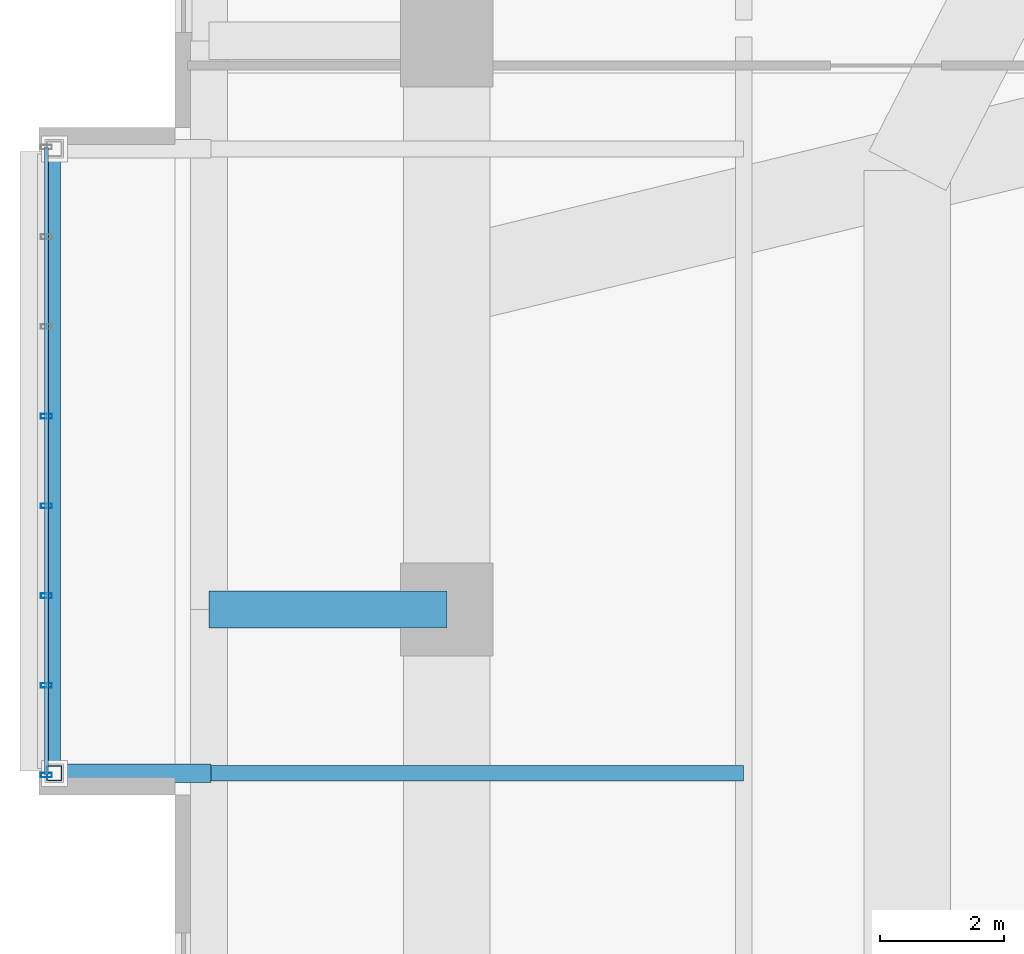
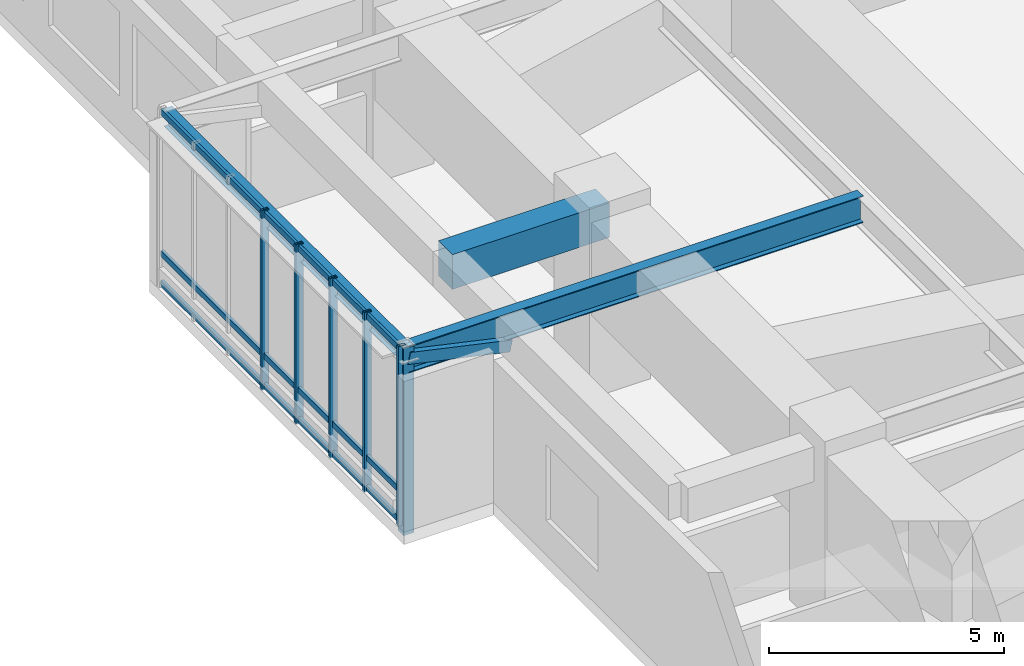
# One storey, part 3 of 26: 10 members, 3 beams, 1 element without a shape of its own.
"""IFC4 building model written with IfcOpenShell, lengths in metres."""

from ifc_helpers import new_model, si_unit, direction, frame, origin, origin_2d, place, context, subcontext, project, spatial, rectangle, hollow_rectangle, i_section, extrude, material, material_profile, profile_set, type_object, element, aggregate, save


model = new_model("IFC4")

# Units and contexts
model_context = context("Model", 3, precision=1e-05, world=origin(), true_north=direction((0.0, 1.0)))
body_context = subcontext(model_context, "Body", "Model", "MODEL_VIEW")
ifc_project = project(units=[si_unit("LENGTHUNIT", "METRE"), si_unit("AREAUNIT", "SQUARE_METRE"), si_unit("VOLUMEUNIT", "CUBIC_METRE"), si_unit("PLANEANGLEUNIT", "RADIAN"), si_unit("MASSUNIT", "GRAM", prefix="KILO")], contexts=[model_context])

# Site, building, storey
site_placement = place(None, origin())
site = spatial("IfcSite", under=ifc_project, at=site_placement, CompositionType="ELEMENT")
building_placement = place(site_placement, origin())
building = spatial("IfcBuilding", under=site, at=building_placement, Name="Zulverin Broadcast Headquarters", CompositionType="ELEMENT")
storey_placement = place(building_placement, frame((0.0, 0.0, 20.0)))
storey = spatial("IfcBuildingStorey", under=building, at=storey_placement, Name="L04", CompositionType="ELEMENT", Elevation=20.0)

# Beams
ifc_material_1 = material(Name="Concrete C40/50", Category="concrete")
ifc_material_profile_1 = material_profile(ifc_material_1, rectangle(XDim=0.60009765625, YDim=0.89990234375, at=origin_2d()), Name="Concrete C40/50", Category="concrete")
ifc_profile_set_1 = profile_set([ifc_material_profile_1], Name="Concrete C40/50")
beam_type_1 = type_object("IfcBeamType", Name="BM-RC-600x900", PredefinedType="BEAM", material=ifc_profile_set_1)
beam_1_placement = place(storey_placement, frame((4.39990234375, 25.199951171875, 4.14990234375), z_axis=(-1.0, 0.0, 0.0), x_axis=(0.0, -1.0, 0.0)))
element("IfcBeam", 1, at=beam_1_placement, inside=storey, type_object=beam_type_1, Name="L04 West Perimeter Bracket Girder WBR-2", PredefinedType="BEAM", context=body_context, shape_type="SweptSolid", body=[
    extrude(rectangle(XDim=0.60009765625, YDim=0.89990234375, at=origin_2d()), origin(), (0.0, 0.0, 1.0), 3.849853515625),
])
ifc_material_2 = material(Name="Structural steel S355JR", Category="steel")
ifc_material_profile_2 = material_profile(ifc_material_2, i_section(OverallWidth=0.19287109375, OverallDepth=0.46728515625, WebThickness=0.011474609375, FlangeThickness=0.01953125, at=origin_2d()), Name="Structural steel S355JR", Category="steel")
ifc_profile_set_2 = profile_set([ifc_material_profile_2], Name="Structural steel S355JR")
beam_type_2 = type_object("IfcBeamType", Name="BM-UB-457", PredefinedType="JOIST", material=ifc_profile_set_2)
beam_2_placement = place(storey_placement, frame((-1.949951171875, 22.550048828125, 4.366455078125), z_axis=(0.0, 1.0, 0.0), x_axis=(-1.0, 0.0, 0.0)))
element("IfcBeam", 2, at=beam_2_placement, inside=storey, type_object=beam_type_2, Name="L04 Studio Box Edge Beam SBOX_POD_UPPER_W1", PredefinedType="JOIST", context=body_context, shape_type="SweptSolid", body=[
    extrude(i_section(OverallWidth=0.19287109375, OverallDepth=0.46728515625, WebThickness=0.011474609375, FlangeThickness=0.01953125, at=origin_2d()), origin(), (0.0, 0.0, 1.0), 10.099853515625),
])
ifc_material_profile_3 = material_profile(ifc_material_2, i_section(OverallWidth=0.255859375, OverallDepth=0.69287109375, WebThickness=0.014404296875, FlangeThickness=0.023681640625, at=origin_2d()), Name="Structural steel S355JR", Category="steel")
ifc_profile_set_3 = profile_set([ifc_material_profile_3], Name="Structural steel S355JR")
beam_type_3 = type_object("IfcBeamType", Name="BM-UB-686", PredefinedType="BEAM", material=ifc_profile_set_3)
beam_3_placement = place(storey_placement, frame((9.199951171875, 22.550048828125, 4.253662109375), z_axis=(-1.0, 0.0, 0.0), x_axis=(0.0, -1.0, 0.0)))
element("IfcBeam", 3, at=beam_3_placement, inside=storey, type_object=beam_type_3, Name="L04 Studio Box Cantilever Girder SBOX_POD_UPPER_W1-1", PredefinedType="BEAM", context=body_context, shape_type="SweptSolid", body=[
    extrude(i_section(OverallWidth=0.255859375, OverallDepth=0.69287109375, WebThickness=0.014404296875, FlangeThickness=0.023681640625, at=origin_2d()), origin(), (0.0, 0.0, 1.0), 11.14990234375),
])

# Curtain wall, members
ifc_material_3 = material(Name="Acoustic triple-glazed studio box curtain wall", Category="aluminium")
curtain_wall_type = type_object("IfcCurtainWallType", Name="CW-SBOX", PredefinedType="USERDEFINED", material=ifc_material_3)
curtain_wall_placement = place(storey_placement, origin())
curtain_wall = element("IfcCurtainWall", 4, at=curtain_wall_placement, inside=storey, type_object=curtain_wall_type, Name="L04 Unitised Curtain Wall CW-L04-SBOX_POD_UPPER_W1-F", ObjectType="UNITISED CURTAIN WALL", PredefinedType="USERDEFINED")
ifc_material_4 = material(Name="Anodized pale-metal aluminium alloy 6063-T6", Category="aluminium")
ifc_material_profile_4 = material_profile(ifc_material_4, hollow_rectangle(XDim=0.074951171875, YDim=0.179931640625, WallThickness=0.0048828125, at=origin_2d()), Name="Anodized pale-metal aluminium alloy 6063-T6", Category="aluminium")
ifc_profile_set_4 = profile_set([ifc_material_profile_4], Name="Anodized pale-metal aluminium alloy 6063-T6")
member_type_1 = type_object("IfcMemberType", Name="CW-MUL-180", PredefinedType="MULLION", material=ifc_profile_set_4)
member_1_placement = place(storey_placement, frame((-2.080078125, 28.32568359375, -0.030029296875), z_axis=(0.0, 0.0, 1.0), x_axis=(0.0, -1.0, 0.0)))
member_1 = element("IfcMember", 5, at=member_1_placement, type_object=member_type_1, Name="CW-L04-SBOX_POD_UPPER_W1-F Mullion 03", PredefinedType="MULLION", context=body_context, shape_type="SweptSolid", body=[
    extrude(hollow_rectangle(XDim=0.074951171875, YDim=0.179931640625, WallThickness=0.0048828125, at=origin_2d()), origin(), (0.0, 0.0, 1.0), 4.659912109375),
])
member_2_placement = place(storey_placement, frame((-2.080078125, 26.874267578125, -0.030029296875), z_axis=(0.0, 0.0, 1.0), x_axis=(0.0, -1.0, 0.0)))
member_2 = element("IfcMember", 6, at=member_2_placement, type_object=member_type_1, Name="CW-L04-SBOX_POD_UPPER_W1-F Mullion 04", PredefinedType="MULLION", context=body_context, shape_type="SweptSolid", body=[
    extrude(hollow_rectangle(XDim=0.074951171875, YDim=0.179931640625, WallThickness=0.0048828125, at=origin_2d()), origin(), (0.0, 0.0, 1.0), 4.659912109375),
])
member_3_placement = place(storey_placement, frame((-2.080078125, 25.4228515625, -0.030029296875), z_axis=(0.0, 0.0, 1.0), x_axis=(0.0, -1.0, 0.0)))
member_3 = element("IfcMember", 7, at=member_3_placement, type_object=member_type_1, Name="CW-L04-SBOX_POD_UPPER_W1-F Mullion 05", PredefinedType="MULLION", context=body_context, shape_type="SweptSolid", body=[
    extrude(hollow_rectangle(XDim=0.074951171875, YDim=0.179931640625, WallThickness=0.0048828125, at=origin_2d()), origin(), (0.0, 0.0, 1.0), 4.659912109375),
])
member_4_placement = place(storey_placement, frame((-2.080078125, 23.971435546875, -0.030029296875), z_axis=(0.0, 0.0, 1.0), x_axis=(0.0, -1.0, 0.0)))
member_4 = element("IfcMember", 8, at=member_4_placement, type_object=member_type_1, Name="CW-L04-SBOX_POD_UPPER_W1-F Mullion 06", PredefinedType="MULLION", context=body_context, shape_type="SweptSolid", body=[
    extrude(hollow_rectangle(XDim=0.074951171875, YDim=0.179931640625, WallThickness=0.0048828125, at=origin_2d()), origin(), (0.0, 0.0, 1.0), 4.659912109375),
])
member_5_placement = place(storey_placement, frame((-2.080078125, 22.52001953125, -0.030029296875), z_axis=(0.0, 0.0, 1.0), x_axis=(0.0, -1.0, 0.0)))
member_5 = element("IfcMember", 9, at=member_5_placement, type_object=member_type_1, Name="CW-L04-SBOX_POD_UPPER_W1-F Mullion 07", PredefinedType="MULLION", context=body_context, shape_type="SweptSolid", body=[
    extrude(hollow_rectangle(XDim=0.074951171875, YDim=0.179931640625, WallThickness=0.0048828125, at=origin_2d()), origin(), (0.0, 0.0, 1.0), 4.659912109375),
])
ifc_material_profile_5 = material_profile(ifc_material_4, hollow_rectangle(XDim=0.074951171875, YDim=0.14990234375, WallThickness=0.0048828125, at=origin_2d()), Name="Anodized pale-metal aluminium alloy 6063-T6", Category="aluminium")
ifc_profile_set_5 = profile_set([ifc_material_profile_5], Name="Anodized pale-metal aluminium alloy 6063-T6")
member_type_2 = type_object("IfcMemberType", Name="CW-TRN-150", PredefinedType="USERDEFINED", material=ifc_profile_set_5)
member_6_placement = place(storey_placement, frame((-2.080078125, 32.679931640625, 0.074951171875), z_axis=(0.0, -1.0, 0.0), x_axis=(1.0, 0.0, 0.0)))
member_6 = element("IfcMember", 10, at=member_6_placement, type_object=member_type_2, Name="CW-L04-SBOX_POD_UPPER_W1-F Transom 0", ObjectType="TRANSOM", PredefinedType="USERDEFINED", context=body_context, shape_type="SweptSolid", body=[
    extrude(hollow_rectangle(XDim=0.074951171875, YDim=0.14990234375, WallThickness=0.0048828125, at=origin_2d()), origin(), (0.0, 0.0, 1.0), 10.159912109375),
])
member_7_placement = place(storey_placement, frame((-2.080078125, 32.679931640625, 0.85009765625), z_axis=(0.0, -1.0, 0.0), x_axis=(1.0, 0.0, 0.0)))
member_7 = element("IfcMember", 11, at=member_7_placement, type_object=member_type_2, Name="CW-L04-SBOX_POD_UPPER_W1-F Transom 1", ObjectType="TRANSOM", PredefinedType="USERDEFINED", context=body_context, shape_type="SweptSolid", body=[
    extrude(hollow_rectangle(XDim=0.074951171875, YDim=0.14990234375, WallThickness=0.0048828125, at=origin_2d()), origin(), (0.0, 0.0, 1.0), 10.159912109375),
])
member_8_placement = place(storey_placement, frame((-2.080078125, 32.679931640625, 4.52490234375), z_axis=(0.0, -1.0, 0.0), x_axis=(1.0, 0.0, 0.0)))
member_8 = element("IfcMember", 12, at=member_8_placement, type_object=member_type_2, Name="CW-L04-SBOX_POD_UPPER_W1-F Transom 2", ObjectType="TRANSOM", PredefinedType="USERDEFINED", context=body_context, shape_type="SweptSolid", body=[
    extrude(hollow_rectangle(XDim=0.074951171875, YDim=0.14990234375, WallThickness=0.0048828125, at=origin_2d()), origin(), (0.0, 0.0, 1.0), 10.159912109375),
])
aggregate(curtain_wall, [member_1, member_2, member_3, member_4, member_5, member_6, member_7, member_8])

# Members
ifc_material_profile_6 = material_profile(ifc_material_2, hollow_rectangle(XDim=0.300048828125, YDim=0.300048828125, WallThickness=0.01611328125, at=origin_2d()), Name="Structural steel S355JR", Category="steel")
ifc_profile_set_6 = profile_set([ifc_material_profile_6], Name="Structural steel S355JR")
member_type_3 = type_object("IfcMemberType", Name="MBR-BLT-DIAG1", PredefinedType="BRACE", material=ifc_profile_set_6)
member_9_placement = place(storey_placement, frame((0.550048828125, 22.550048828125, 3.75), z_axis=(-0.976640463768, 0.0, 0.214879977038), x_axis=(0.0, -1.0, 0.0)))
element("IfcMember", 13, at=member_9_placement, inside=storey, type_object=member_type_3, Name="L04 Studio Box Raking Knee Brace SBOX_POD_UPPER_W1-1", PredefinedType="BRACE", context=body_context, shape_type="SweptSolid", body=[
    extrude(hollow_rectangle(XDim=0.300048828125, YDim=0.300048828125, WallThickness=0.01611328125, at=origin_2d()), origin(), (0.0, 0.0, 1.0), 2.559814453125),
])
ifc_material_profile_7 = material_profile(ifc_material_2, hollow_rectangle(XDim=0.25, YDim=0.25, WallThickness=0.01611328125, at=origin_2d()), Name="Structural steel S355JR", Category="steel")
ifc_profile_set_7 = profile_set([ifc_material_profile_7], Name="Structural steel S355JR")
member_type_4 = type_object("IfcMemberType", Name="MBR-BLT-POST", PredefinedType="POST", material=ifc_profile_set_7)
member_10_placement = place(storey_placement, frame((-1.949951171875, 22.550048828125, -0.27001953125), z_axis=(0.0, 0.0, 1.0), x_axis=(1.0, 0.0, 0.0)))
element("IfcMember", 14, at=member_10_placement, inside=storey, type_object=member_type_4, Name="L04 Shifted Studio Box Frame Post SBOX_POD_UPPER_W1-1", PredefinedType="POST", context=body_context, shape_type="SweptSolid", body=[
    extrude(hollow_rectangle(XDim=0.25, YDim=0.25, WallThickness=0.01611328125, at=origin_2d()), origin(), (0.0, 0.0, 1.0), 4.8701171875),
])

save(model, "model.ifc")
